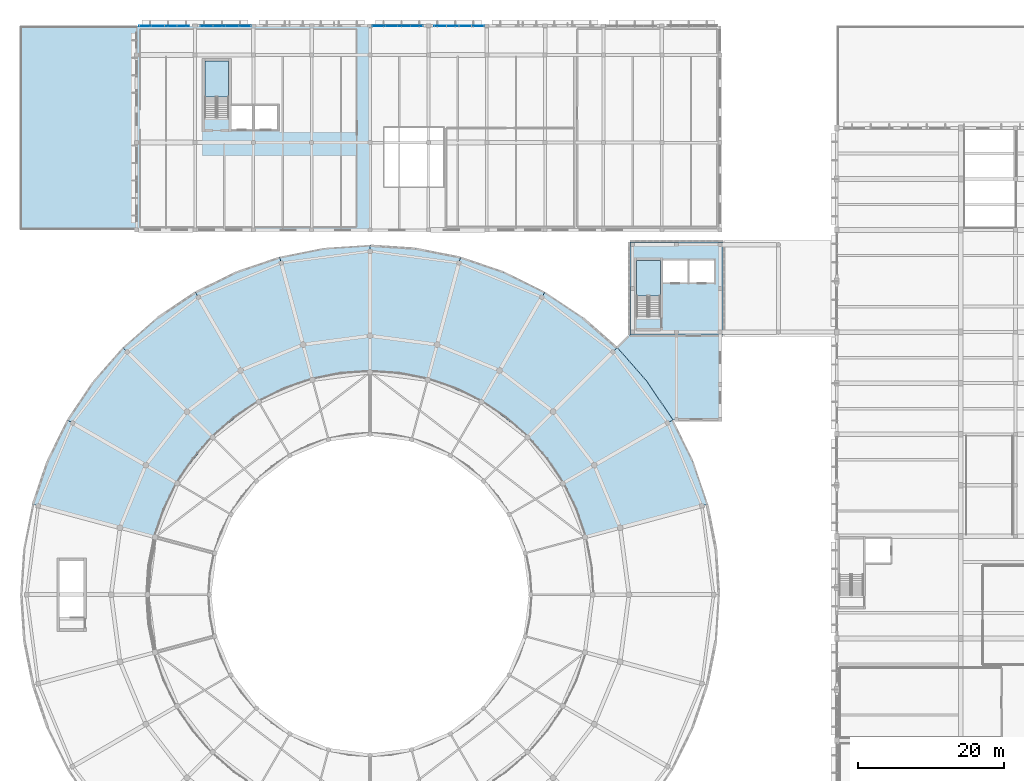
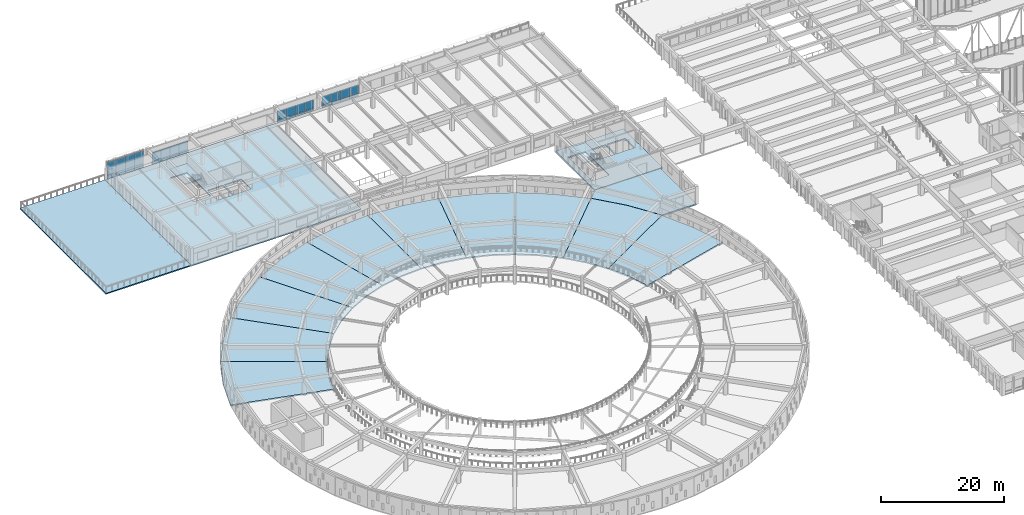
# One storey, part 75 of 155: 32 plates, 16 slabs, 6 elements without a shape of their own.
"""IFC4 building model written with IfcOpenShell, lengths in metres."""

from ifc_helpers import new_model, si_unit, direction, frame, origin, origin_2d, place, context, subcontext, project, spatial, polyline, rectangle, outline, extrude, material, layer, layer_set, type_object, element, aggregate, save


model = new_model("IFC4")

# Units and contexts
model_context = context("Model", 3, precision=1e-05, world=origin(), true_north=direction((0.0, 1.0)))
body_context = subcontext(model_context, "Body", "Model", "MODEL_VIEW")
ifc_project = project(units=[si_unit("LENGTHUNIT", "METRE"), si_unit("AREAUNIT", "SQUARE_METRE"), si_unit("VOLUMEUNIT", "CUBIC_METRE"), si_unit("PLANEANGLEUNIT", "RADIAN"), si_unit("MASSUNIT", "GRAM", prefix="KILO")], contexts=[model_context])

# Site, building, storey
site_placement = place(None, origin())
site = spatial("IfcSite", under=ifc_project, at=site_placement, CompositionType="ELEMENT")
building_placement = place(site_placement, origin())
building = spatial("IfcBuilding", under=site, at=building_placement, Name="Larkveld Mobility Hub", CompositionType="ELEMENT")
storey_placement = place(building_placement, frame((0.0, 0.0, 8.39990234375)))
storey = spatial("IfcBuildingStorey", under=building, at=storey_placement, Name="L02", CompositionType="ELEMENT", Elevation=8.39990234375)

# Curtain wall, plates
ifc_material_1 = material(Name="Anodised aluminium 6063-T6", Category="aluminium")
curtain_wall_type_1 = type_object("IfcCurtainWallType", Name="CW-SYS-10", PredefinedType="NOTDEFINED", material=ifc_material_1)
curtain_wall_1_placement = place(storey_placement, origin())
curtain_wall_1 = element("IfcCurtainWall", 1, at=curtain_wall_1_placement, inside=storey, type_object=curtain_wall_type_1, Name="Bicycle Hall North Curtain Wall L02 CW-082", PredefinedType="NOTDEFINED")
ifc_material_2 = material(Name="Low-E laminated solar-control double glazing", Category="glass")
ifc_layer_1 = layer(ifc_material_2, 0.028076171875, Name="Low-E laminated solar-control double glazing", Category="glass")
ifc_layer_set_1 = layer_set([ifc_layer_1], Name="Low-E laminated solar-control double glazing")
plate_type_1 = type_object("IfcPlateType", Name="CW-PNL-GL01", PredefinedType="CURTAIN_PANEL", material=ifc_layer_set_1)
plate_1_placement = place(storey_placement, frame((22.364013671875, 126.0, 0.75), z_axis=(0.0, 0.0, 1.0), x_axis=(-1.0, 0.0, 0.0)))
plate_1 = element("IfcPlate", 2, at=plate_1_placement, type_object=plate_type_1, Name="CW10 panel 1", PredefinedType="CURTAIN_PANEL", context=body_context, shape_type="SweptSolid", body=[
    extrude(rectangle(XDim=1.69091796875, YDim=0.028076171875, at=origin_2d()), origin(), (0.0, 0.0, 1.0), 2.577880859375),
])
plate_2_placement = place(storey_placement, frame((20.653076171875, 126.0, 0.75), z_axis=(0.0, 0.0, 1.0), x_axis=(-1.0, 0.0, 0.0)))
plate_2 = element("IfcPlate", 3, at=plate_2_placement, type_object=plate_type_1, Name="CW10 panel 2", PredefinedType="CURTAIN_PANEL", context=body_context, shape_type="SweptSolid", body=[
    extrude(rectangle(XDim=1.7109375, YDim=0.028076171875, at=origin_2d()), origin(), (0.0, 0.0, 1.0), 2.577880859375),
])
plate_3_placement = place(storey_placement, frame((18.930908203125, 126.0, 0.75), z_axis=(0.0, 0.0, 1.0), x_axis=(-1.0, 0.0, 0.0)))
plate_3 = element("IfcPlate", 4, at=plate_3_placement, type_object=plate_type_1, Name="CW10 panel 3", PredefinedType="CURTAIN_PANEL", context=body_context, shape_type="SweptSolid", body=[
    extrude(rectangle(XDim=1.7109375, YDim=0.028076171875, at=origin_2d()), origin(), (0.0, 0.0, 1.0), 2.577880859375),
])
plate_4_placement = place(storey_placement, frame((17.220947265625, 126.0, 0.75), z_axis=(0.0, 0.0, 1.0), x_axis=(-1.0, 0.0, 0.0)))
plate_4 = element("IfcPlate", 5, at=plate_4_placement, type_object=plate_type_1, Name="CW10 panel 4", PredefinedType="CURTAIN_PANEL", context=body_context, shape_type="SweptSolid", body=[
    extrude(rectangle(XDim=1.69091796875, YDim=0.028076171875, at=origin_2d()), origin(), (0.0, 0.0, 1.0), 2.577880859375),
])

curtain_wall_type_2 = type_object("IfcCurtainWallType", Name="CW-SYS-11", PredefinedType="NOTDEFINED", material=ifc_material_1)
curtain_wall_2_placement = place(storey_placement, origin())
curtain_wall_2 = element("IfcCurtainWall", 6, at=curtain_wall_2_placement, inside=storey, type_object=curtain_wall_type_2, Name="Bicycle Hall North Curtain Wall L02 CW-083", PredefinedType="NOTDEFINED")
ifc_material_3 = material(Name="Acoustic solar-control laminated double glazing", Category="glass")
ifc_layer_2 = layer(ifc_material_3, 0.031982421875, Name="Acoustic solar-control laminated double glazing", Category="glass")
ifc_layer_set_2 = layer_set([ifc_layer_2], Name="Acoustic solar-control laminated double glazing")
plate_type_2 = type_object("IfcPlateType", Name="CW-PNL-GL02", PredefinedType="CURTAIN_PANEL", material=ifc_layer_set_2)
plate_5_placement = place(storey_placement, frame((62.779052734375, 126.0, 0.57763671875), z_axis=(0.0, 0.0, 1.0), x_axis=(-1.0, 0.0, 0.0)))
plate_5 = element("IfcPlate", 7, at=plate_5_placement, type_object=plate_type_2, Name="CW11 panel 1", PredefinedType="CURTAIN_PANEL", context=body_context, shape_type="SweptSolid", body=[
    extrude(rectangle(XDim=1.69091796875, YDim=0.031982421875, at=origin_2d()), origin(), (0.0, 0.0, 1.0), 1.700927734375),
])
plate_6_placement = place(storey_placement, frame((61.068115234375, 126.0, 0.57763671875), z_axis=(0.0, 0.0, 1.0), x_axis=(-1.0, 0.0, 0.0)))
plate_6 = element("IfcPlate", 8, at=plate_6_placement, type_object=plate_type_2, Name="CW11 panel 2", PredefinedType="CURTAIN_PANEL", context=body_context, shape_type="SweptSolid", body=[
    extrude(rectangle(XDim=1.7109375, YDim=0.031982421875, at=origin_2d()), origin(), (0.0, 0.0, 1.0), 1.700927734375),
])
plate_7_placement = place(storey_placement, frame((59.345947265625, 126.0, 0.57763671875), z_axis=(0.0, 0.0, 1.0), x_axis=(-1.0, 0.0, 0.0)))
plate_7 = element("IfcPlate", 9, at=plate_7_placement, type_object=plate_type_2, Name="CW11 panel 3", PredefinedType="CURTAIN_PANEL", context=body_context, shape_type="SweptSolid", body=[
    extrude(rectangle(XDim=1.7109375, YDim=0.031982421875, at=origin_2d()), origin(), (0.0, 0.0, 1.0), 1.700927734375),
])
plate_8_placement = place(storey_placement, frame((57.635009765625, 126.0, 0.57763671875), z_axis=(0.0, 0.0, 1.0), x_axis=(-1.0, 0.0, 0.0)))
plate_8 = element("IfcPlate", 10, at=plate_8_placement, type_object=plate_type_2, Name="CW11 panel 4", PredefinedType="CURTAIN_PANEL", context=body_context, shape_type="SweptSolid", body=[
    extrude(rectangle(XDim=1.69091796875, YDim=0.031982421875, at=origin_2d()), origin(), (0.0, 0.0, 1.0), 1.700927734375),
])

curtain_wall_type_3 = type_object("IfcCurtainWallType", Name="CW-SYS-09", PredefinedType="NOTDEFINED", material=ifc_material_1)
curtain_wall_3_placement = place(storey_placement, origin())
curtain_wall_3 = element("IfcCurtainWall", 11, at=curtain_wall_3_placement, inside=storey, type_object=curtain_wall_type_3, Name="Bicycle Hall North Curtain Wall L02 CW-081", PredefinedType="NOTDEFINED")
ifc_material_4 = material(Name="Tinted safety double glazing", Category="glass")
ifc_layer_3 = layer(ifc_material_4, 0.035888671875, Name="Tinted safety double glazing", Category="glass")
ifc_layer_set_3 = layer_set([ifc_layer_3], Name="Tinted safety double glazing")
plate_type_3 = type_object("IfcPlateType", Name="CW-PNL-GL03", PredefinedType="CURTAIN_PANEL", material=ifc_layer_set_3)
plate_9_placement = place(storey_placement, frame((30.779052734375, 126.0, 0.57763671875), z_axis=(0.0, 0.0, 1.0), x_axis=(-1.0, 0.0, 0.0)))
plate_9 = element("IfcPlate", 12, at=plate_9_placement, type_object=plate_type_3, Name="CW09 panel 1", PredefinedType="CURTAIN_PANEL", context=body_context, shape_type="SweptSolid", body=[
    extrude(rectangle(XDim=1.69091796875, YDim=0.035888671875, at=origin_2d()), origin(), (0.0, 0.0, 1.0), 1.700927734375),
])
plate_10_placement = place(storey_placement, frame((29.068115234375, 126.0, 0.57763671875), z_axis=(0.0, 0.0, 1.0), x_axis=(-1.0, 0.0, 0.0)))
plate_10 = element("IfcPlate", 13, at=plate_10_placement, type_object=plate_type_3, Name="CW09 panel 2", PredefinedType="CURTAIN_PANEL", context=body_context, shape_type="SweptSolid", body=[
    extrude(rectangle(XDim=1.7109375, YDim=0.035888671875, at=origin_2d()), origin(), (0.0, 0.0, 1.0), 1.700927734375),
])
plate_11_placement = place(storey_placement, frame((27.345947265625, 126.0, 0.57763671875), z_axis=(0.0, 0.0, 1.0), x_axis=(-1.0, 0.0, 0.0)))
plate_11 = element("IfcPlate", 14, at=plate_11_placement, type_object=plate_type_3, Name="CW09 panel 3", PredefinedType="CURTAIN_PANEL", context=body_context, shape_type="SweptSolid", body=[
    extrude(rectangle(XDim=1.7109375, YDim=0.035888671875, at=origin_2d()), origin(), (0.0, 0.0, 1.0), 1.700927734375),
])
plate_12_placement = place(storey_placement, frame((25.635986328125, 126.0, 0.57763671875), z_axis=(0.0, 0.0, 1.0), x_axis=(-1.0, 0.0, 0.0)))
plate_12 = element("IfcPlate", 15, at=plate_12_placement, type_object=plate_type_3, Name="CW09 panel 4", PredefinedType="CURTAIN_PANEL", context=body_context, shape_type="SweptSolid", body=[
    extrude(rectangle(XDim=1.69091796875, YDim=0.035888671875, at=origin_2d()), origin(), (0.0, 0.0, 1.0), 1.700927734375),
])

curtain_wall_type_4 = type_object("IfcCurtainWallType", Name="CW-SYS-12", PredefinedType="NOTDEFINED", material=ifc_material_1)
curtain_wall_4_placement = place(storey_placement, origin())
curtain_wall_4 = element("IfcCurtainWall", 16, at=curtain_wall_4_placement, inside=storey, type_object=curtain_wall_type_4, Name="Bicycle Hall North Curtain Wall L02 CW-084", PredefinedType="NOTDEFINED")
plate_13_placement = place(storey_placement, frame((54.364990234375, 126.0, 0.57763671875), z_axis=(0.0, 0.0, 1.0), x_axis=(-1.0, 0.0, 0.0)))
plate_13 = element("IfcPlate", 17, at=plate_13_placement, type_object=plate_type_3, Name="CW12 panel 1", PredefinedType="CURTAIN_PANEL", context=body_context, shape_type="SweptSolid", body=[
    extrude(rectangle(XDim=1.69091796875, YDim=0.035888671875, at=origin_2d()), origin(), (0.0, 0.0, 1.0), 1.700927734375),
])
plate_14_placement = place(storey_placement, frame((52.653076171875, 126.0, 0.57763671875), z_axis=(0.0, 0.0, 1.0), x_axis=(-1.0, 0.0, 0.0)))
plate_14 = element("IfcPlate", 18, at=plate_14_placement, type_object=plate_type_3, Name="CW12 panel 2", PredefinedType="CURTAIN_PANEL", context=body_context, shape_type="SweptSolid", body=[
    extrude(rectangle(XDim=1.7109375, YDim=0.035888671875, at=origin_2d()), origin(), (0.0, 0.0, 1.0), 1.700927734375),
])
plate_15_placement = place(storey_placement, frame((50.930908203125, 126.0, 0.57763671875), z_axis=(0.0, 0.0, 1.0), x_axis=(-1.0, 0.0, 0.0)))
plate_15 = element("IfcPlate", 19, at=plate_15_placement, type_object=plate_type_3, Name="CW12 panel 3", PredefinedType="CURTAIN_PANEL", context=body_context, shape_type="SweptSolid", body=[
    extrude(rectangle(XDim=1.7109375, YDim=0.035888671875, at=origin_2d()), origin(), (0.0, 0.0, 1.0), 1.700927734375),
])
plate_16_placement = place(storey_placement, frame((49.220947265625, 126.0, 0.57763671875), z_axis=(0.0, 0.0, 1.0), x_axis=(-1.0, 0.0, 0.0)))
plate_16 = element("IfcPlate", 20, at=plate_16_placement, type_object=plate_type_3, Name="CW12 panel 4", PredefinedType="CURTAIN_PANEL", context=body_context, shape_type="SweptSolid", body=[
    extrude(rectangle(XDim=1.69091796875, YDim=0.035888671875, at=origin_2d()), origin(), (0.0, 0.0, 1.0), 1.700927734375),
])

# Plate
ifc_material_5 = material(Name="Insulated fluoropolymer aluminium spandrel", Category="aluminium")
ifc_layer_4 = layer(ifc_material_5, 0.06494140625, Name="Insulated fluoropolymer aluminium spandrel", Category="aluminium")
ifc_layer_set_4 = layer_set([ifc_layer_4], Name="Insulated fluoropolymer aluminium spandrel")
plate_type_4 = type_object("IfcPlateType", Name="CW-PNL-SP01", PredefinedType="CURTAIN_PANEL", material=ifc_layer_set_4)
plate_17_placement = place(storey_placement, frame((30.779052734375, 126.0, 0.000732421875), z_axis=(0.0, 0.0, 1.0), x_axis=(-1.0, 0.0, 0.0)))
plate_17 = element("IfcPlate", 21, at=plate_17_placement, type_object=plate_type_4, Name="CW09 spandrel 1", PredefinedType="CURTAIN_PANEL", context=body_context, shape_type="SweptSolid", body=[
    extrude(rectangle(XDim=1.69091796875, YDim=0.06494140625, at=origin_2d()), origin(), (0.0, 0.0, 1.0), 0.56494140625),
])

plate_18_placement = place(storey_placement, frame((29.068115234375, 126.0, 0.000732421875), z_axis=(0.0, 0.0, 1.0), x_axis=(-1.0, 0.0, 0.0)))
plate_18 = element("IfcPlate", 22, at=plate_18_placement, type_object=plate_type_4, Name="CW09 spandrel 2", PredefinedType="CURTAIN_PANEL", context=body_context, shape_type="SweptSolid", body=[
    extrude(rectangle(XDim=1.7109375, YDim=0.06494140625, at=origin_2d()), origin(), (0.0, 0.0, 1.0), 0.56494140625),
])

plate_19_placement = place(storey_placement, frame((27.345947265625, 126.0, 0.000732421875), z_axis=(0.0, 0.0, 1.0), x_axis=(-1.0, 0.0, 0.0)))
plate_19 = element("IfcPlate", 23, at=plate_19_placement, type_object=plate_type_4, Name="CW09 spandrel 3", PredefinedType="CURTAIN_PANEL", context=body_context, shape_type="SweptSolid", body=[
    extrude(rectangle(XDim=1.7109375, YDim=0.06494140625, at=origin_2d()), origin(), (0.0, 0.0, 1.0), 0.56494140625),
])

plate_20_placement = place(storey_placement, frame((25.635986328125, 126.0, 0.000732421875), z_axis=(0.0, 0.0, 1.0), x_axis=(-1.0, 0.0, 0.0)))
plate_20 = element("IfcPlate", 24, at=plate_20_placement, type_object=plate_type_4, Name="CW09 spandrel 4", PredefinedType="CURTAIN_PANEL", context=body_context, shape_type="SweptSolid", body=[
    extrude(rectangle(XDim=1.69091796875, YDim=0.06494140625, at=origin_2d()), origin(), (0.0, 0.0, 1.0), 0.56494140625),
])

aggregate(curtain_wall_3, [plate_17, plate_9, plate_18, plate_10, plate_19, plate_11, plate_20, plate_12])

plate_21_placement = place(storey_placement, frame((62.779052734375, 126.0, 0.000732421875), z_axis=(0.0, 0.0, 1.0), x_axis=(-1.0, 0.0, 0.0)))
plate_21 = element("IfcPlate", 25, at=plate_21_placement, type_object=plate_type_4, Name="CW11 spandrel 1", PredefinedType="CURTAIN_PANEL", context=body_context, shape_type="SweptSolid", body=[
    extrude(rectangle(XDim=1.69091796875, YDim=0.06494140625, at=origin_2d()), origin(), (0.0, 0.0, 1.0), 0.56494140625),
])

plate_22_placement = place(storey_placement, frame((61.068115234375, 126.0, 0.000732421875), z_axis=(0.0, 0.0, 1.0), x_axis=(-1.0, 0.0, 0.0)))
plate_22 = element("IfcPlate", 26, at=plate_22_placement, type_object=plate_type_4, Name="CW11 spandrel 2", PredefinedType="CURTAIN_PANEL", context=body_context, shape_type="SweptSolid", body=[
    extrude(rectangle(XDim=1.7109375, YDim=0.06494140625, at=origin_2d()), origin(), (0.0, 0.0, 1.0), 0.56494140625),
])

plate_23_placement = place(storey_placement, frame((59.345947265625, 126.0, 0.000732421875), z_axis=(0.0, 0.0, 1.0), x_axis=(-1.0, 0.0, 0.0)))
plate_23 = element("IfcPlate", 27, at=plate_23_placement, type_object=plate_type_4, Name="CW11 spandrel 3", PredefinedType="CURTAIN_PANEL", context=body_context, shape_type="SweptSolid", body=[
    extrude(rectangle(XDim=1.7109375, YDim=0.06494140625, at=origin_2d()), origin(), (0.0, 0.0, 1.0), 0.56494140625),
])

plate_24_placement = place(storey_placement, frame((57.635009765625, 126.0, 0.000732421875), z_axis=(0.0, 0.0, 1.0), x_axis=(-1.0, 0.0, 0.0)))
plate_24 = element("IfcPlate", 28, at=plate_24_placement, type_object=plate_type_4, Name="CW11 spandrel 4", PredefinedType="CURTAIN_PANEL", context=body_context, shape_type="SweptSolid", body=[
    extrude(rectangle(XDim=1.69091796875, YDim=0.06494140625, at=origin_2d()), origin(), (0.0, 0.0, 1.0), 0.56494140625),
])

aggregate(curtain_wall_2, [plate_21, plate_5, plate_22, plate_6, plate_23, plate_7, plate_24, plate_8])

ifc_material_6 = material(Name="Insulated terracotta-toned aluminium spandrel", Category="masonry")
ifc_layer_5 = layer(ifc_material_6, 0.080078125, Name="Insulated terracotta-toned aluminium spandrel", Category="masonry")
ifc_layer_set_5 = layer_set([ifc_layer_5], Name="Insulated terracotta-toned aluminium spandrel")
plate_type_5 = type_object("IfcPlateType", Name="CW-PNL-SP02", PredefinedType="CURTAIN_PANEL", material=ifc_layer_set_5)
plate_25_placement = place(storey_placement, frame((22.364013671875, 126.0, 0.0), z_axis=(0.0, 0.0, 1.0), x_axis=(-1.0, 0.0, 0.0)))
plate_25 = element("IfcPlate", 29, at=plate_25_placement, type_object=plate_type_5, Name="CW10 spandrel 1", PredefinedType="CURTAIN_PANEL", context=body_context, shape_type="SweptSolid", body=[
    extrude(rectangle(XDim=1.69091796875, YDim=0.080078125, at=origin_2d()), origin(), (0.0, 0.0, 1.0), 0.738037109375),
])

plate_26_placement = place(storey_placement, frame((20.653076171875, 126.0, 0.0), z_axis=(0.0, 0.0, 1.0), x_axis=(-1.0, 0.0, 0.0)))
plate_26 = element("IfcPlate", 30, at=plate_26_placement, type_object=plate_type_5, Name="CW10 spandrel 2", PredefinedType="CURTAIN_PANEL", context=body_context, shape_type="SweptSolid", body=[
    extrude(rectangle(XDim=1.7109375, YDim=0.080078125, at=origin_2d()), origin(), (0.0, 0.0, 1.0), 0.738037109375),
])

plate_27_placement = place(storey_placement, frame((18.930908203125, 126.0, 0.0), z_axis=(0.0, 0.0, 1.0), x_axis=(-1.0, 0.0, 0.0)))
plate_27 = element("IfcPlate", 31, at=plate_27_placement, type_object=plate_type_5, Name="CW10 spandrel 3", PredefinedType="CURTAIN_PANEL", context=body_context, shape_type="SweptSolid", body=[
    extrude(rectangle(XDim=1.7109375, YDim=0.080078125, at=origin_2d()), origin(), (0.0, 0.0, 1.0), 0.738037109375),
])

plate_28_placement = place(storey_placement, frame((17.220947265625, 126.0, 0.0), z_axis=(0.0, 0.0, 1.0), x_axis=(-1.0, 0.0, 0.0)))
plate_28 = element("IfcPlate", 32, at=plate_28_placement, type_object=plate_type_5, Name="CW10 spandrel 4", PredefinedType="CURTAIN_PANEL", context=body_context, shape_type="SweptSolid", body=[
    extrude(rectangle(XDim=1.69091796875, YDim=0.080078125, at=origin_2d()), origin(), (0.0, 0.0, 1.0), 0.738037109375),
])

aggregate(curtain_wall_1, [plate_25, plate_1, plate_26, plate_2, plate_27, plate_3, plate_28, plate_4])

plate_29_placement = place(storey_placement, frame((54.364990234375, 126.0, 0.000732421875), z_axis=(0.0, 0.0, 1.0), x_axis=(-1.0, 0.0, 0.0)))
plate_29 = element("IfcPlate", 33, at=plate_29_placement, type_object=plate_type_5, Name="CW12 spandrel 1", PredefinedType="CURTAIN_PANEL", context=body_context, shape_type="SweptSolid", body=[
    extrude(rectangle(XDim=1.69091796875, YDim=0.080078125, at=origin_2d()), origin(), (0.0, 0.0, 1.0), 0.56494140625),
])

plate_30_placement = place(storey_placement, frame((52.653076171875, 126.0, 0.000732421875), z_axis=(0.0, 0.0, 1.0), x_axis=(-1.0, 0.0, 0.0)))
plate_30 = element("IfcPlate", 34, at=plate_30_placement, type_object=plate_type_5, Name="CW12 spandrel 2", PredefinedType="CURTAIN_PANEL", context=body_context, shape_type="SweptSolid", body=[
    extrude(rectangle(XDim=1.7109375, YDim=0.080078125, at=origin_2d()), origin(), (0.0, 0.0, 1.0), 0.56494140625),
])

plate_31_placement = place(storey_placement, frame((50.930908203125, 126.0, 0.000732421875), z_axis=(0.0, 0.0, 1.0), x_axis=(-1.0, 0.0, 0.0)))
plate_31 = element("IfcPlate", 35, at=plate_31_placement, type_object=plate_type_5, Name="CW12 spandrel 3", PredefinedType="CURTAIN_PANEL", context=body_context, shape_type="SweptSolid", body=[
    extrude(rectangle(XDim=1.7109375, YDim=0.080078125, at=origin_2d()), origin(), (0.0, 0.0, 1.0), 0.56494140625),
])

plate_32_placement = place(storey_placement, frame((49.220947265625, 126.0, 0.000732421875), z_axis=(0.0, 0.0, 1.0), x_axis=(-1.0, 0.0, 0.0)))
plate_32 = element("IfcPlate", 36, at=plate_32_placement, type_object=plate_type_5, Name="CW12 spandrel 4", PredefinedType="CURTAIN_PANEL", context=body_context, shape_type="SweptSolid", body=[
    extrude(rectangle(XDim=1.69091796875, YDim=0.080078125, at=origin_2d()), origin(), (0.0, 0.0, 1.0), 0.56494140625),
])

aggregate(curtain_wall_4, [plate_29, plate_13, plate_30, plate_14, plate_31, plate_15, plate_32, plate_16])

# Slabs
ifc_material_7 = material(Name="Concrete C40/50", Category="concrete")
ifc_layer_6 = layer(ifc_material_7, 0.260009765625, Name="Concrete C40/50", Category="concrete")
ifc_layer_set_6 = layer_set([ifc_layer_6], Name="Concrete C40/50")
slab_type_1 = type_object("IfcSlabType", Name="SL-CON-260", PredefinedType="FLOOR", material=ifc_layer_set_6)
slab_1_placement = place(storey_placement, frame((0.0, 0.0, -0.260009765625)))
element("IfcSlab", 37, at=slab_1_placement, inside=storey, type_object=slab_type_1, Name="Pavilion Core Slab L02-089", PredefinedType="FLOOR", context=body_context, shape_type="SweptSolid", body=[
    extrude(outline(polyline([(83.6298828125, 83.6298828125), (96.3701171875, 83.6298828125), (96.3701171875, 96.3701171875), (83.6298828125, 96.3701171875), (83.6298828125, 83.6298828125)]), holes=[polyline([(84.550048828125, 86.10009765625), (84.550048828125, 93.85009765625), (87.800048828125, 93.85009765625), (87.800048828125, 86.10009765625), (84.550048828125, 86.10009765625)]), polyline([(88.159912109375, 90.800048828125), (88.159912109375, 93.85009765625), (91.56005859375, 93.85009765625), (91.56005859375, 90.800048828125), (88.159912109375, 90.800048828125)]), polyline([(91.780029296875, 90.800048828125), (91.780029296875, 93.85009765625), (95.179931640625, 93.85009765625), (95.179931640625, 90.800048828125), (91.780029296875, 90.800048828125)])]), origin(), (0.0, 0.0, 1.0), 0.260009765625),
])
slab_2_placement = place(storey_placement, frame((0.0, 0.0, -0.260009765625)))
element("IfcSlab", 38, at=slab_2_placement, inside=storey, type_object=slab_type_1, Name="Drum Pavilion Link Slab L02-090", PredefinedType="FLOOR", context=body_context, shape_type="SweptSolid", body=[
    extrude(outline(polyline([(89.51708984375, 71.969970703125), (95.97998046875, 71.969970703125), (95.97998046875, 83.610107421875), (83.6298828125, 83.610107421875), (81.89892578125, 81.89892578125), (86.032958984375, 77.18408203125), (89.51708984375, 71.969970703125)])), origin(), (0.0, 0.0, 1.0), 0.260009765625),
])
ifc_layer_7 = layer(ifc_material_7, 0.239990234375, Name="Concrete C40/50", Category="concrete")
ifc_layer_set_7 = layer_set([ifc_layer_7], Name="Concrete C40/50")
slab_type_2 = type_object("IfcSlabType", Name="SL-DRM-240", PredefinedType="FLOOR", material=ifc_layer_set_7)
slab_3_placement = place(storey_placement, frame((0.0, 0.0, -0.239990234375)))
element("IfcSlab", 39, at=slab_3_placement, inside=storey, type_object=slab_type_2, Name="Drum Parking Deck Slab L02-055", PredefinedType="FLOOR", context=body_context, shape_type="SweptSolid", body=[
    extrude(outline(polyline([(89.5, 71.9599609375), (86.01708984375, 77.172119140625), (81.885009765625, 81.885009765625), (69.56689453125, 69.56689453125), (72.197021484375, 66.56689453125), (74.4140625, 63.25), (89.5, 71.9599609375)])), origin(), (0.0, 0.0, 1.0), 0.239990234375),
])
slab_4_placement = place(storey_placement, frame((0.0, 0.0, -0.239990234375)))
element("IfcSlab", 40, at=slab_4_placement, inside=storey, type_object=slab_type_2, Name="Drum Parking Deck Slab L02-057", PredefinedType="FLOOR", context=body_context, shape_type="SweptSolid", body=[
    extrude(outline(polyline([(71.9599609375, 89.5), (66.337890625, 92.27197265625), (60.403076171875, 94.287109375), (55.89404296875, 77.4609375), (59.672119140625, 76.177978515625), (63.25, 74.4140625), (71.9599609375, 89.5)])), origin(), (0.0, 0.0, 1.0), 0.239990234375),
])
slab_5_placement = place(storey_placement, frame((0.0, 0.0, -0.239990234375)))
element("IfcSlab", 41, at=slab_5_placement, inside=storey, type_object=slab_type_2, Name="Drum Parking Deck Slab L02-059", PredefinedType="FLOOR", context=body_context, shape_type="SweptSolid", body=[
    extrude(outline(polyline([(48.0, 95.919921875), (41.7451171875, 95.510009765625), (35.596923828125, 94.287109375), (40.10595703125, 77.4609375), (44.01904296875, 78.239013671875), (48.0, 78.5), (48.0, 95.919921875)])), origin(), (0.0, 0.0, 1.0), 0.239990234375),
])
slab_6_placement = place(storey_placement, frame((0.0, 0.0, -0.239990234375)))
element("IfcSlab", 42, at=slab_6_placement, inside=storey, type_object=slab_type_2, Name="Drum Parking Deck Slab L02-061", PredefinedType="FLOOR", context=body_context, shape_type="SweptSolid", body=[
    extrude(outline(polyline([(24.0400390625, 89.5), (18.827880859375, 86.01708984375), (14.114990234375, 81.885009765625), (26.43310546875, 69.56689453125), (29.43310546875, 72.197021484375), (32.75, 74.4140625), (24.0400390625, 89.5)])), origin(), (0.0, 0.0, 1.0), 0.239990234375),
])
slab_7_placement = place(storey_placement, frame((0.0, 0.0, -0.239990234375)))
element("IfcSlab", 43, at=slab_7_placement, inside=storey, type_object=slab_type_2, Name="Drum Parking Deck Slab L02-063", PredefinedType="FLOOR", context=body_context, shape_type="SweptSolid", body=[
    extrude(outline(polyline([(6.5, 71.9599609375), (3.72802734375, 66.337890625), (1.712890625, 60.403076171875), (18.5390625, 55.89404296875), (19.822021484375, 59.672119140625), (21.5859375, 63.25), (6.5, 71.9599609375)])), origin(), (0.0, 0.0, 1.0), 0.239990234375),
])
ifc_layer_8 = layer(ifc_material_7, 0.22998046875, Name="Concrete C40/50", Category="concrete")
ifc_layer_set_8 = layer_set([ifc_layer_8], Name="Concrete C40/50")
slab_type_3 = type_object("IfcSlabType", Name="SL-FLR-230", PredefinedType="FLOOR", material=ifc_layer_set_8)
slab_8_placement = place(storey_placement, frame((0.0, 0.0, -0.22998046875)))
element("IfcSlab", 44, at=slab_8_placement, inside=storey, type_object=slab_type_3, Name="Bicycle Hall Floor Slab L02-103", PredefinedType="FLOOR", context=body_context, shape_type="SweptSolid", body=[
    extrude(outline(polyline([(16.0, 98.0), (48.0, 98.0), (48.0, 126.0), (16.0, 126.0), (16.0, 98.0)]), holes=[polyline([(25.35009765625, 113.39990234375), (25.35009765625, 121.14990234375), (28.60009765625, 121.14990234375), (28.60009765625, 113.39990234375), (25.35009765625, 113.39990234375)]), polyline([(28.97998046875, 111.85009765625), (28.97998046875, 115.050048828125), (31.8798828125, 115.050048828125), (31.8798828125, 111.85009765625), (28.97998046875, 111.85009765625)]), polyline([(32.10009765625, 111.85009765625), (32.10009765625, 115.050048828125), (35.300048828125, 115.050048828125), (35.300048828125, 111.85009765625), (32.10009765625, 111.85009765625)])]), origin(), (0.0, 0.0, 1.0), 0.22998046875),
])
ifc_layer_9 = layer(ifc_material_7, 0.25, Name="Concrete C40/50", Category="concrete")
ifc_layer_set_9 = layer_set([ifc_layer_9], Name="Concrete C40/50")
slab_type_4 = type_object("IfcSlabType", Name="SL-FLR-250", PredefinedType="FLOOR", material=ifc_layer_set_9)
slab_9_placement = place(storey_placement, frame((0.0, 0.0, -0.25)))
element("IfcSlab", 45, at=slab_9_placement, inside=storey, type_object=slab_type_4, Name="Drum Parking Deck Slab L02-054", PredefinedType="FLOOR", context=body_context, shape_type="SweptSolid", body=[
    extrude(outline(polyline([(94.287109375, 60.403076171875), (92.27197265625, 66.337890625), (89.5, 71.9599609375), (74.4140625, 63.25), (76.177978515625, 59.672119140625), (77.4609375, 55.89404296875), (94.287109375, 60.403076171875)])), origin(), (0.0, 0.0, 1.0), 0.25),
])
slab_10_placement = place(storey_placement, frame((0.0, 0.0, -0.25)))
element("IfcSlab", 46, at=slab_10_placement, inside=storey, type_object=slab_type_4, Name="Drum Parking Deck Slab L02-056", PredefinedType="FLOOR", context=body_context, shape_type="SweptSolid", body=[
    extrude(outline(polyline([(81.885009765625, 81.885009765625), (77.172119140625, 86.01708984375), (71.9599609375, 89.5), (63.25, 74.4140625), (66.56689453125, 72.197021484375), (69.56689453125, 69.56689453125), (81.885009765625, 81.885009765625)])), origin(), (0.0, 0.0, 1.0), 0.25),
])
slab_11_placement = place(storey_placement, frame((0.0, 0.0, -0.25)))
element("IfcSlab", 47, at=slab_11_placement, inside=storey, type_object=slab_type_4, Name="Drum Parking Deck Slab L02-058", PredefinedType="FLOOR", context=body_context, shape_type="SweptSolid", body=[
    extrude(outline(polyline([(60.403076171875, 94.287109375), (54.2548828125, 95.510009765625), (48.0, 95.919921875), (48.0, 78.5), (51.98095703125, 78.239013671875), (55.89404296875, 77.4609375), (60.403076171875, 94.287109375)])), origin(), (0.0, 0.0, 1.0), 0.25),
])
slab_12_placement = place(storey_placement, frame((0.0, 0.0, -0.25)))
element("IfcSlab", 48, at=slab_12_placement, inside=storey, type_object=slab_type_4, Name="Drum Parking Deck Slab L02-060", PredefinedType="FLOOR", context=body_context, shape_type="SweptSolid", body=[
    extrude(outline(polyline([(35.596923828125, 94.287109375), (29.662109375, 92.27197265625), (24.0400390625, 89.5), (32.75, 74.4140625), (36.327880859375, 76.177978515625), (40.10595703125, 77.4609375), (35.596923828125, 94.287109375)])), origin(), (0.0, 0.0, 1.0), 0.25),
])
slab_13_placement = place(storey_placement, frame((0.0, 0.0, -0.25)))
element("IfcSlab", 49, at=slab_13_placement, inside=storey, type_object=slab_type_4, Name="Drum Parking Deck Slab L02-062", PredefinedType="FLOOR", context=body_context, shape_type="SweptSolid", body=[
    extrude(outline(polyline([(14.114990234375, 81.885009765625), (9.98291015625, 77.172119140625), (6.5, 71.9599609375), (21.5859375, 63.25), (23.802978515625, 66.56689453125), (26.43310546875, 69.56689453125), (14.114990234375, 81.885009765625)])), origin(), (0.0, 0.0, 1.0), 0.25),
])

# Stair, slab
stair_type_1 = type_object("IfcStairType", Name="ST-HT-05", PredefinedType="HALF_TURN_STAIR", material=ifc_material_7)
stair_1_placement = place(storey_placement, origin())
stair_1 = element("IfcStair", 50, at=stair_1_placement, inside=storey, type_object=stair_type_1, Name="L02 Protected Escape Stair ST5", PredefinedType="HALF_TURN_STAIR")
ifc_layer_10 = layer(ifc_material_7, 0.215087890625, Name="Concrete C40/50", Category="concrete")
ifc_layer_set_10 = layer_set([ifc_layer_10], Name="Concrete C40/50")
slab_type_5 = type_object("IfcSlabType", Name="SL-LND-05", PredefinedType="LANDING", material=ifc_layer_set_10)
slab_14_placement = place(storey_placement, frame((0.0, 0.0, 1.585205078125)))
slab_14 = element("IfcSlab", 51, at=slab_14_placement, type_object=slab_type_5, Name="ST5 landing 1", PredefinedType="LANDING", context=body_context, shape_type="SweptSolid", body=[
    extrude(outline(polyline([(87.800048828125, 88.949951171875), (87.800048828125, 93.85009765625), (84.550048828125, 93.85009765625), (84.550048828125, 88.949951171875), (87.800048828125, 88.949951171875)])), origin(), (0.0, 0.0, 1.0), 0.21484375),
])
aggregate(stair_1, [slab_14])

stair_type_2 = type_object("IfcStairType", Name="ST-HT-06", PredefinedType="HALF_TURN_STAIR", material=ifc_material_7)
stair_2_placement = place(storey_placement, origin())
stair_2 = element("IfcStair", 52, at=stair_2_placement, inside=storey, type_object=stair_type_2, Name="L02 Protected Escape Stair ST6", PredefinedType="HALF_TURN_STAIR")
ifc_layer_11 = layer(ifc_material_7, 0.22509765625, Name="Concrete C40/50", Category="concrete")
ifc_layer_set_11 = layer_set([ifc_layer_11], Name="Concrete C40/50")
slab_type_6 = type_object("IfcSlabType", Name="SL-LND-06", PredefinedType="LANDING", material=ifc_layer_set_11)
slab_15_placement = place(storey_placement, frame((0.0, 0.0, 1.5751953125)))
slab_15 = element("IfcSlab", 53, at=slab_15_placement, type_object=slab_type_6, Name="ST6 landing 1", PredefinedType="LANDING", context=body_context, shape_type="SweptSolid", body=[
    extrude(outline(polyline([(28.60009765625, 116.25), (28.60009765625, 121.14990234375), (25.35009765625, 121.14990234375), (25.35009765625, 116.25), (28.60009765625, 116.25)])), origin(), (0.0, 0.0, 1.0), 0.224853515625),
])
aggregate(stair_2, [slab_15])

# Slab
ifc_layer_12 = layer(ifc_material_7, 0.22509765625, Name="Concrete C40/50", Category="concrete")
ifc_layer_set_12 = layer_set([ifc_layer_12], Name="Concrete C40/50")
slab_type_7 = type_object("IfcSlabType", Name="SL-TER-225", PredefinedType="FLOOR", material=ifc_layer_set_12)
slab_16_placement = place(storey_placement, frame((0.0, 0.0, -0.224853515625)))
element("IfcSlab", 54, at=slab_16_placement, inside=storey, type_object=slab_type_7, Name="Bicycle Hall Terrace Slab L02-105", PredefinedType="FLOOR", context=body_context, shape_type="SweptSolid", body=[
    extrude(outline(polyline([(0.0, 98.0), (16.0, 98.0), (16.0, 126.0), (0.0, 126.0), (0.0, 98.0)])), origin(), (0.0, 0.0, 1.0), 0.224853515625),
])

save(model, "model.ifc")
